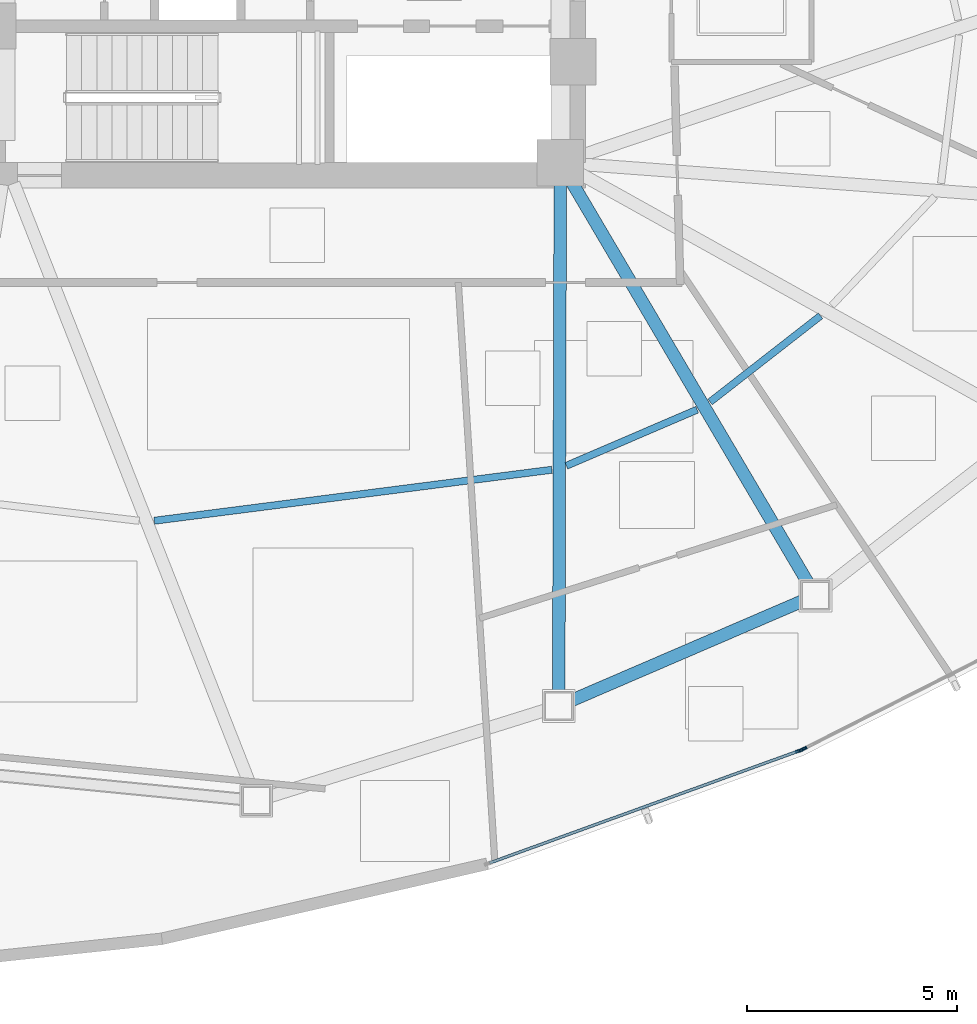
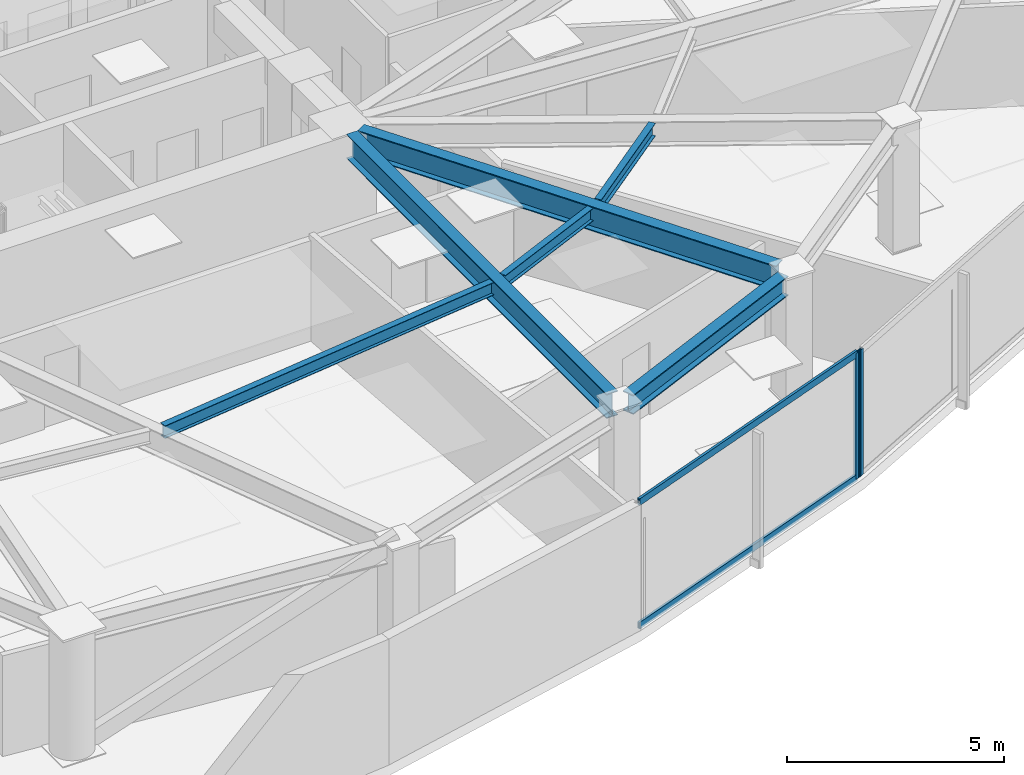
# One storey, part 3 of 17: 6 beams, 4 members, 2 elements without a shape of their own.
"""IFC4 building model written with IfcOpenShell, lengths in metres."""

import ifcopenshell
import ifcopenshell.guid

model = None  # the IFC model being written
_history = None  # IfcOwnerHistory: only IFC2X3 demands one
_inside = {}  # id of a spatial element -> (the spatial element, [elements in it])
_under = {}  # id of a project, library or spatial element -> (it, [spatial elements below it])
_declared = {}  # id of a project -> (the project, [libraries it declares])
_typed = {}  # id of a type object -> (the type object, [elements of that type])
_made_of = {}  # id of a material, layer set ... -> (it, [elements and type objects made of it])


def new_model(schema):
    """Start an empty IFC model of exactly this schema.

    Asked for "IFC4X3", IfcOpenShell would pick the latest addendum, in which some entities
    have other attributes; the version numbers below select the first issue.
    IFC2X3 requires an IfcOwnerHistory on every rooted entity: one is made here for all.
    """
    global model, _history
    if schema == "IFC4X3":
        model = ifcopenshell.file(schema_version=(4, 3, 0, 0))
    else:
        model = ifcopenshell.file(schema=schema)
    _inside.clear()
    _under.clear()
    _declared.clear()
    _typed.clear()
    _made_of.clear()
    _history = None
    if model.schema == "IFC2X3":
        org = make("IfcOrganization", Name="unknown")
        user = make(
            "IfcPersonAndOrganization",
            ThePerson=make("IfcPerson", FamilyName="unknown"),
            TheOrganization=org,
        )
        app = make(
            "IfcApplication",
            ApplicationDeveloper=org,
            Version="unknown",
            ApplicationFullName="unknown",
            ApplicationIdentifier="unknown",
        )
        _history = make(
            "IfcOwnerHistory",
            OwningUser=user,
            OwningApplication=app,
            ChangeAction="ADDED",
            CreationDate=0,
        )
    return model


def make(cls, **values):
    """One entity of the class cls with the attributes given. An attribute that is None is left unset."""
    return model.create_entity(
        cls, **{name: value for name, value in values.items() if value is not None}
    )


def rooted(cls, **values):
    """An entity with a GlobalId (a new one), such as an element, a storey or a relation."""
    return make(cls, GlobalId=ifcopenshell.guid.new(), OwnerHistory=_history, **values)


def si_unit(unit_type, name, prefix=None):
    """IfcSIUnit, for example si_unit("LENGTHUNIT", "METRE", prefix="MILLI")."""
    return make("IfcSIUnit", UnitType=unit_type, Prefix=prefix, Name=name)


def assignment(units):
    """IfcUnitAssignment: the units of a project."""
    return None if units is None else make("IfcUnitAssignment", Units=units)


def point(xyz):
    """IfcCartesianPoint."""
    return None if xyz is None else make("IfcCartesianPoint", Coordinates=xyz)


def direction(xyz):
    """IfcDirection."""
    return None if xyz is None else make("IfcDirection", DirectionRatios=xyz)


def frame(location, z_axis=None, x_axis=None):
    """IfcAxis2Placement3D, a coordinate frame: its origin and axes. An axis left out is left unset."""
    return make(
        "IfcAxis2Placement3D",
        Location=point(location),
        Axis=direction(z_axis),
        RefDirection=direction(x_axis),
    )


def frame_2d(location, x_axis=None):
    """IfcAxis2Placement2D, a coordinate frame in the plane: its origin and x axis."""
    return make(
        "IfcAxis2Placement2D", Location=point(location), RefDirection=direction(x_axis)
    )


def origin():
    """The frame at (0, 0, 0) with its axes left unset."""
    return frame((0.0, 0.0, 0.0))


def origin_2d():
    """The frame at (0, 0) in the plane with its x axis left unset."""
    return frame_2d((0.0, 0.0))


def place(relative_to, where):
    """IfcLocalPlacement: puts the frame where relative to a parent placement (None: the world)."""
    return make(
        "IfcLocalPlacement", PlacementRelTo=relative_to, RelativePlacement=where
    )


def context(
    kind, dimensions, precision=None, world=None, true_north=None, identifier=None
):
    """IfcGeometricRepresentationContext, for example the 3D "Model" context."""
    return make(
        "IfcGeometricRepresentationContext",
        ContextIdentifier=identifier,
        ContextType=kind,
        CoordinateSpaceDimension=dimensions,
        Precision=precision,
        WorldCoordinateSystem=world,
        TrueNorth=true_north,
    )


def subcontext(parent, identifier, kind, view, scale=None):
    """IfcGeometricRepresentationSubContext, for example "Body" below "Model"."""
    return make(
        "IfcGeometricRepresentationSubContext",
        ContextIdentifier=identifier,
        ContextType=kind,
        ParentContext=parent,
        TargetScale=scale,
        TargetView=view,
    )


def project(units=None, contexts=None):
    """IfcProject with its units and contexts."""
    return rooted(
        "IfcProject",
        Name="project",
        RepresentationContexts=contexts,
        UnitsInContext=assignment(units),
    )


def spatial(cls, under=None, at=None, **own):
    """A site, building, storey or space (cls), placed at a placement, below another one or the project."""
    s = rooted(cls, ObjectPlacement=at, **own)
    if under is not None:
        _under.setdefault(under.id(), (under, []))[1].append(s)
    return s


def profile(cls, at=None, kind="AREA", **sizes):
    """A parametric profile (cls). Its sizes go by their IFC names, for example OverallWidth=200.0."""
    return make(cls, ProfileType=kind, Position=at, **sizes)


def hollow_rectangle(**sizes):
    """IfcRectangleHollowProfileDef."""
    return profile("IfcRectangleHollowProfileDef", **sizes)


def i_section(**sizes):
    """IfcIShapeProfileDef."""
    return profile("IfcIShapeProfileDef", **sizes)


def extrude(swept, where, along, depth):
    """IfcExtrudedAreaSolid: the profile swept, set in the frame where, extruded along a direction by depth."""
    return make(
        "IfcExtrudedAreaSolid",
        SweptArea=swept,
        Position=where,
        ExtrudedDirection=direction(along),
        Depth=depth,
    )


def shape(context_of_items, identifier, shape_type, items):
    """IfcShapeRepresentation: the items that make up one representation, for example the "Body"."""
    return make(
        "IfcShapeRepresentation",
        ContextOfItems=context_of_items,
        RepresentationIdentifier=identifier,
        RepresentationType=shape_type,
        Items=items,
    )


def source(mapping_origin, context_of_items, identifier, shape_type, items):
    """IfcRepresentationMap: a shape defined once, which mapped items show again and again."""
    return make(
        "IfcRepresentationMap",
        MappingOrigin=mapping_origin,
        MappedRepresentation=shape(context_of_items, identifier, shape_type, items),
    )


def transform(
    local_origin,
    x_axis=None,
    y_axis=None,
    z_axis=None,
    scale=None,
    scale2=None,
    scale3=None,
    uniform=True,
):
    """IfcCartesianTransformationOperator3D, or its non-uniform kind. x_axis, y_axis, z_axis: its Axis1, 2, 3."""
    if uniform:
        return make(
            "IfcCartesianTransformationOperator3D",
            Axis1=direction(x_axis),
            Axis2=direction(y_axis),
            LocalOrigin=point(local_origin),
            Scale=scale,
            Axis3=direction(z_axis),
        )
    return make(
        "IfcCartesianTransformationOperator3DnonUniform",
        Axis1=direction(x_axis),
        Axis2=direction(y_axis),
        LocalOrigin=point(local_origin),
        Scale=scale,
        Axis3=direction(z_axis),
        Scale2=scale2,
        Scale3=scale3,
    )


def mapped(mapping_source, mapping_target):
    """IfcMappedItem: shows the shape of a source again, moved by a transform."""
    return make(
        "IfcMappedItem", MappingSource=mapping_source, MappingTarget=mapping_target
    )


def material(Name=None, Category=None):
    """IfcMaterial."""
    return make("IfcMaterial", Name=Name, Category=Category)


def layer(
    of_material, thickness, ventilated=None, Name=None, Category=None, Priority=None
):
    """IfcMaterialLayer: one layer of a wall or slab, of a material (None: an air gap)."""
    return make(
        "IfcMaterialLayer",
        Material=of_material,
        LayerThickness=thickness,
        IsVentilated=ventilated,
        Name=Name,
        Category=Category,
        Priority=Priority,
    )


def layer_set(layers, Name=None):
    """IfcMaterialLayerSet."""
    return make("IfcMaterialLayerSet", MaterialLayers=layers, LayerSetName=Name)


def material_profile(
    of_material, cross_section, Name=None, Category=None, Priority=None
):
    """IfcMaterialProfile: a cross section and its material."""
    return make(
        "IfcMaterialProfile",
        Name=Name,
        Material=of_material,
        Profile=cross_section,
        Priority=Priority,
        Category=Category,
    )


def profile_set(profiles, Name=None, composite=None):
    """IfcMaterialProfileSet."""
    return make(
        "IfcMaterialProfileSet",
        Name=Name,
        MaterialProfiles=profiles,
        CompositeProfile=composite,
    )


def made_of(thing, what):
    """Note that an element or type object is made of a material, layer set ...; save() writes the relation."""
    if what is not None:
        _made_of.setdefault(what.id(), (what, []))[1].append(thing)
    return thing


def type_object(cls, material=None, **own):
    """A type object (cls), such as IfcWallType, which elements share."""
    return made_of(rooted(cls, **own), material)


def type_shapes(of_type, sources):
    """Give a type object the sources (RepresentationMaps) that its elements show as mapped items."""
    of_type.RepresentationMaps = sources


def element(
    cls,
    number,
    at=None,
    inside=None,
    cuts=None,
    type_object=None,
    material=None,
    context=None,
    identifier="Body",
    shape_type=None,
    held_by="IfcProductDefinitionShape",
    body=None,
    shapes=None,
    **own,
):
    """One element of the class cls, such as IfcWall. Its Tag is "e" and its number.

    at: its placement. inside: the storey or other place that contains it. cuts: it is an
    opening in that element (IfcRelVoidsElement). A single representation is given by context,
    identifier, shape_type and body (its items); several are given by shapes. held_by: the class
    of the entity that holds the representations. save() writes the other relations.
    """
    e = rooted(cls, Tag="e%d" % number, ObjectPlacement=at, **own)
    if body is not None:
        shapes = [shape(context, identifier, shape_type, body)]
    if shapes is not None:
        e.Representation = make(held_by, Representations=shapes)
    if inside is not None:
        _inside.setdefault(inside.id(), (inside, []))[1].append(e)
    if cuts is not None:
        rooted(
            "IfcRelVoidsElement", RelatingBuildingElement=cuts, RelatedOpeningElement=e
        )
    if type_object is not None:
        _typed.setdefault(type_object.id(), (type_object, []))[1].append(e)
    return made_of(e, material)


def aggregate(whole, parts):
    """IfcRelAggregates: a whole, such as a stair, and the parts it consists of."""
    return rooted("IfcRelAggregates", RelatingObject=whole, RelatedObjects=parts)


def save(model, path):
    """Write the relations noted so far, then the file.

    IfcRelAggregates (storeys below a building ...), IfcRelContainedInSpatialStructure (elements
    in a storey), IfcRelDefinesByType, IfcRelAssociatesMaterial and IfcRelDeclares: one each for
    every whole, place, type object, material and project.
    """
    for whole, parts in _under.values():
        aggregate(whole, parts)
    for where, things in _inside.values():
        rooted(
            "IfcRelContainedInSpatialStructure",
            RelatedElements=things,
            RelatingStructure=where,
        )
    for kind, things in _typed.values():
        rooted("IfcRelDefinesByType", RelatedObjects=things, RelatingType=kind)
    for what, things in _made_of.values():
        rooted("IfcRelAssociatesMaterial", RelatedObjects=things, RelatingMaterial=what)
    for by, libraries in _declared.values():
        rooted("IfcRelDeclares", RelatingContext=by, RelatedDefinitions=libraries)
    model.write(path)


model = new_model("IFC4")

# Units and contexts
model_context = context("Model", 3, precision=1e-05, world=origin(), true_north=direction((0.0, 1.0)))
body_context = subcontext(model_context, "Body", "Model", "MODEL_VIEW")
ifc_project = project(units=[si_unit("LENGTHUNIT", "METRE"), si_unit("AREAUNIT", "SQUARE_METRE"), si_unit("VOLUMEUNIT", "CUBIC_METRE"), si_unit("PLANEANGLEUNIT", "RADIAN"), si_unit("MASSUNIT", "GRAM", prefix="KILO")], contexts=[model_context])

# Site, building, storey
site_placement = place(None, origin())
site = spatial("IfcSite", under=ifc_project, at=site_placement, CompositionType="ELEMENT")
building_placement = place(site_placement, origin())
building = spatial("IfcBuilding", under=site, at=building_placement, Name="Tavelor Broadcast Tower", CompositionType="ELEMENT")
storey_placement = place(building_placement, frame((0.0, 0.0, 131.0)))
storey = spatial("IfcBuildingStorey", under=building, at=storey_placement, Name="L30", CompositionType="ELEMENT", Elevation=131.0)

# Beams
ifc_material_1 = material(Name="Steel S355", Category="steel")
ifc_material_profile_1 = material_profile(ifc_material_1, i_section(OverallWidth=0.169921875, OverallDepth=0.360107421875, WebThickness=0.008056640625, FlangeThickness=0.0126953125, at=origin_2d()), Name="IPE 360")
ifc_profile_set_1 = profile_set([ifc_material_profile_1], Name="Steel S355")
beam_type_1 = type_object("IfcBeamType", Name="Composite Floor Joist T3 IPE 360", PredefinedType="JOIST", material=ifc_profile_set_1)
beam_1_placement = place(storey_placement, frame((46.93701171875, 30.280517578125, 3.3701171875), z_axis=(0.991879926303, 0.12717787464, 0.0), x_axis=(-0.12717787464, 0.991879926303, 0.0)))
element("IfcBeam", 1, at=beam_1_placement, inside=storey, type_object=beam_type_1, Name="L30 Secondary Composite Floor Joist 08", PredefinedType="JOIST", context=body_context, shape_type="SweptSolid", body=[
    extrude(i_section(OverallWidth=0.169921875, OverallDepth=0.360107421875, WebThickness=0.008056640625, FlangeThickness=0.0126953125, at=origin_2d()), origin(), (0.0, 0.0, 1.0), 9.538818359375),
])
beam_2_placement = place(storey_placement, frame((56.744384765625, 31.588134765625, 3.3701171875), z_axis=(0.918816463589, 0.394685072225, 0.0), x_axis=(-0.394685072225, 0.918816463589, 0.0)))
element("IfcBeam", 2, at=beam_2_placement, inside=storey, type_object=beam_type_1, Name="L30 Secondary Composite Floor Joist 09", PredefinedType="JOIST", context=body_context, shape_type="SweptSolid", body=[
    extrude(i_section(OverallWidth=0.169921875, OverallDepth=0.360107421875, WebThickness=0.008056640625, FlangeThickness=0.0126953125, at=origin_2d()), origin(), (0.0, 0.0, 1.0), 3.385498046875),
])
beam_3_placement = place(storey_placement, frame((60.163818359375, 33.107177734375, 3.3701171875), z_axis=(0.788471752191, 0.615070968261, 0.0), x_axis=(-0.615070968261, 0.788471752191, 0.0)))
element("IfcBeam", 3, at=beam_3_placement, inside=storey, type_object=beam_type_1, Name="L30 Secondary Composite Floor Joist 10", PredefinedType="JOIST", context=body_context, shape_type="SweptSolid", body=[
    extrude(i_section(OverallWidth=0.169921875, OverallDepth=0.360107421875, WebThickness=0.008056640625, FlangeThickness=0.0126953125, at=origin_2d()), origin(), (0.0, 0.0, 1.0), 3.33251953125),
])
ifc_material_profile_2 = material_profile(ifc_material_1, i_section(OverallWidth=0.300048828125, OverallDepth=0.550048828125, WebThickness=0.014892578125, FlangeThickness=0.029052734375, at=origin_2d()), Name="HEB 550")
ifc_profile_set_2 = profile_set([ifc_material_profile_2], Name="Steel S355")
beam_type_2 = type_object("IfcBeamType", Name="Perimeter Spandrel Beam T3 HEB 550", PredefinedType="SPANDREL", material=ifc_profile_set_2)
beam_4_placement = place(storey_placement, frame((56.86962890625, 26.005615234375, 3.27490234375), z_axis=(0.918448679011, 0.395540167396, 0.0), x_axis=(-0.395540167396, 0.918448679011, 0.0)))
element("IfcBeam", 4, at=beam_4_placement, inside=storey, type_object=beam_type_2, Name="L30 Framed-Tube Ring Spandrel 09", PredefinedType="SPANDREL", context=body_context, shape_type="SweptSolid", body=[
    extrude(i_section(OverallWidth=0.300048828125, OverallDepth=0.550048828125, WebThickness=0.014892578125, FlangeThickness=0.029052734375, at=origin_2d()), origin(), (0.0, 0.0, 1.0), 5.978515625),
])
ifc_material_profile_3 = material_profile(ifc_material_1, i_section(OverallWidth=0.300048828125, OverallDepth=0.68994140625, WebThickness=0.014404296875, FlangeThickness=0.027099609375, at=origin_2d()), Name="HEA 700")
ifc_profile_set_3 = profile_set([ifc_material_profile_3], Name="Steel S355")
beam_type_3 = type_object("IfcBeamType", Name="Radial Floor Girder T3 HEA 700", PredefinedType="BEAM", material=ifc_profile_set_3)
beam_5_placement = place(storey_placement, frame((56.598388671875, 38.27197265625, 3.205078125), z_axis=(-0.003015509149, -0.999995453342, 0.0), x_axis=(0.999995453342, -0.003015509149, 0.0)))
element("IfcBeam", 5, at=beam_5_placement, inside=storey, type_object=beam_type_3, Name="L30 Radial Primary Floor Girder 09", PredefinedType="BEAM", context=body_context, shape_type="SweptSolid", body=[
    extrude(i_section(OverallWidth=0.300048828125, OverallDepth=0.68994140625, WebThickness=0.014404296875, FlangeThickness=0.027099609375, at=origin_2d()), origin(), (0.0, 0.0, 1.0), 12.063232421875),
])
beam_6_placement = place(storey_placement, frame((56.8681640625, 38.34521484375, 3.205078125), z_axis=(0.507774310592, -0.861490133143, 0.0), x_axis=(0.861490133143, 0.507774310592, 0.0)))
element("IfcBeam", 6, at=beam_6_placement, inside=storey, type_object=beam_type_3, Name="L30 Radial Primary Floor Girder 10", PredefinedType="BEAM", context=body_context, shape_type="SweptSolid", body=[
    extrude(i_section(OverallWidth=0.300048828125, OverallDepth=0.68994140625, WebThickness=0.014404296875, FlangeThickness=0.027099609375, at=origin_2d()), origin(), (0.0, 0.0, 1.0), 11.08837890625),
])

# Curtain wall, member
ifc_material_2 = material(Name="Architectural Anodized Aluminium", Category="aluminium")
ifc_layer = layer(ifc_material_2, 0.18994140625)
ifc_layer_set = layer_set([ifc_layer], Name="Architectural Anodized Aluminium")
curtain_wall_type = type_object("IfcCurtainWallType", Name="Tower Mid-Zone Acoustic Curtain Wall CW03", PredefinedType="NOTDEFINED", material=ifc_layer_set)
curtain_wall_1_placement = place(storey_placement, origin())
curtain_wall_1 = element("IfcCurtainWall", 7, at=curtain_wall_1_placement, inside=storey, type_object=curtain_wall_type, Name="L30 Curtain Wall CW03 Run 305", PredefinedType="NOTDEFINED")
ifc_material_profile_4 = material_profile(ifc_material_2, hollow_rectangle(XDim=0.068115234375, YDim=0.18994140625, WallThickness=0.02197265625, at=origin_2d()), Name="RHS 68x190x22")
ifc_profile_set_4 = profile_set([ifc_material_profile_4], Name="Architectural Anodized Aluminium")
member_type_1 = type_object("IfcMemberType", Name="CW03 Extruded Aluminium Mullion 68x190", PredefinedType="MULLION", material=ifc_profile_set_4)
shared_shape_1 = source(origin(), body_context, "Body", "SweptSolid", [
    extrude(hollow_rectangle(XDim=0.068115234375, YDim=0.18994140625, WallThickness=0.02197265625, at=origin_2d()), origin(), (0.0, 0.0, 1.0), 3.550048828125),
])
type_shapes(member_type_1, [shared_shape_1])
member_1_placement = place(storey_placement, frame((62.284912109375, 24.80712890625, 0.0), z_axis=(0.0, 0.0, 1.0), x_axis=(-0.340788050023, 0.940140151765, 0.0)))
member_1 = element("IfcMember", 8, at=member_1_placement, type_object=member_type_1, Name="CW03 mullion 2", PredefinedType="MULLION", context=body_context, shape_type="MappedRepresentation", body=[
    mapped(shared_shape_1, transform((0.0, 0.0, 0.0), scale=1.0)),
])

curtain_wall_2_placement = place(storey_placement, origin())
curtain_wall_2 = element("IfcCurtainWall", 9, at=curtain_wall_2_placement, inside=storey, type_object=curtain_wall_type, Name="L30 Curtain Wall CW03 Run 306", PredefinedType="NOTDEFINED")
member_2_placement = place(storey_placement, frame((62.374755859375, 24.84619140625, 0.0), z_axis=(0.0, 0.0, 1.0), x_axis=(-0.452048618536, 0.891993299571, 0.0)))
member_2 = element("IfcMember", 10, at=member_2_placement, type_object=member_type_1, Name="CW03 mullion 1", PredefinedType="MULLION", context=body_context, shape_type="MappedRepresentation", body=[
    mapped(shared_shape_1, transform((0.0, 0.0, 0.0), scale=1.0)),
])
aggregate(curtain_wall_2, [member_2])

# Member
ifc_material_profile_5 = material_profile(ifc_material_2, hollow_rectangle(XDim=0.068115234375, YDim=0.18994140625, WallThickness=0.02197265625, at=origin_2d()), Name="RHS 68x190x22")
ifc_profile_set_5 = profile_set([ifc_material_profile_5], Name="Architectural Anodized Aluminium")
member_type_2 = type_object("IfcMemberType", Name="CW03 Extruded Aluminium Transom 68x190", PredefinedType="USERDEFINED", material=ifc_profile_set_5)
shared_shape_2 = source(origin(), body_context, "Body", "SweptSolid", [
    extrude(hollow_rectangle(XDim=0.068115234375, YDim=0.18994140625, WallThickness=0.02197265625, at=origin_2d()), origin(), (0.0, 0.0, 1.0), 7.802001953125),
])
type_shapes(member_type_2, [shared_shape_2])
member_3_placement = place(storey_placement, frame((54.91796875, 22.13671875, 0.033935546875), z_axis=(0.940135563868, 0.3408007065, 0.0), x_axis=(-0.3408007065, 0.940135563868, 0.0)))
member_3 = element("IfcMember", 11, at=member_3_placement, type_object=member_type_2, Name="CW03 transom 1.1", ObjectType="TRANSOM", PredefinedType="USERDEFINED", context=body_context, shape_type="MappedRepresentation", body=[
    mapped(shared_shape_2, transform((0.0, 0.0, 0.0), scale=1.0)),
])

member_4_placement = place(storey_placement, frame((54.91796875, 22.13671875, 3.51611328125), z_axis=(0.940135563868, 0.3408007065, 0.0), x_axis=(-0.3408007065, 0.940135563868, 0.0)))
member_4 = element("IfcMember", 12, at=member_4_placement, type_object=member_type_2, Name="CW03 transom 1.2", ObjectType="TRANSOM", PredefinedType="USERDEFINED", context=body_context, shape_type="MappedRepresentation", body=[
    mapped(shared_shape_2, transform((0.0, 0.0, 0.0), scale=1.0)),
])

aggregate(curtain_wall_1, [member_1, member_3, member_4])

save(model, "model.ifc")
